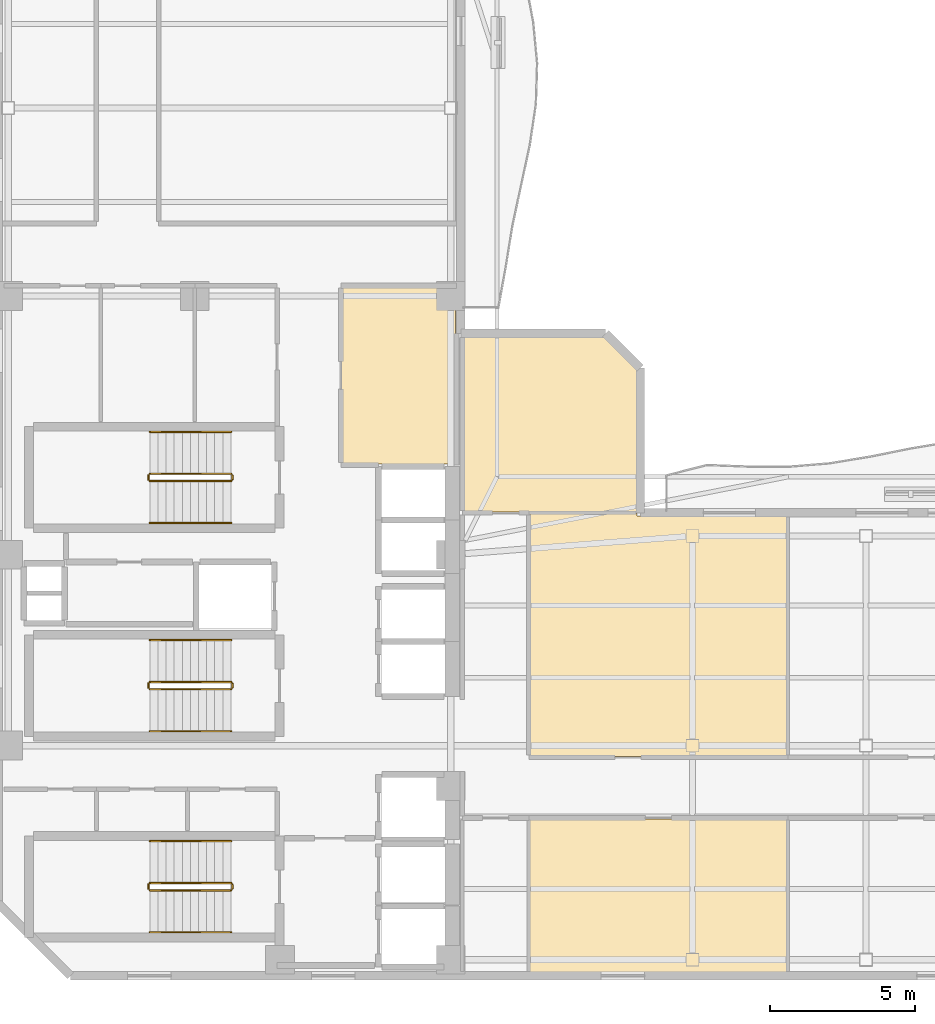
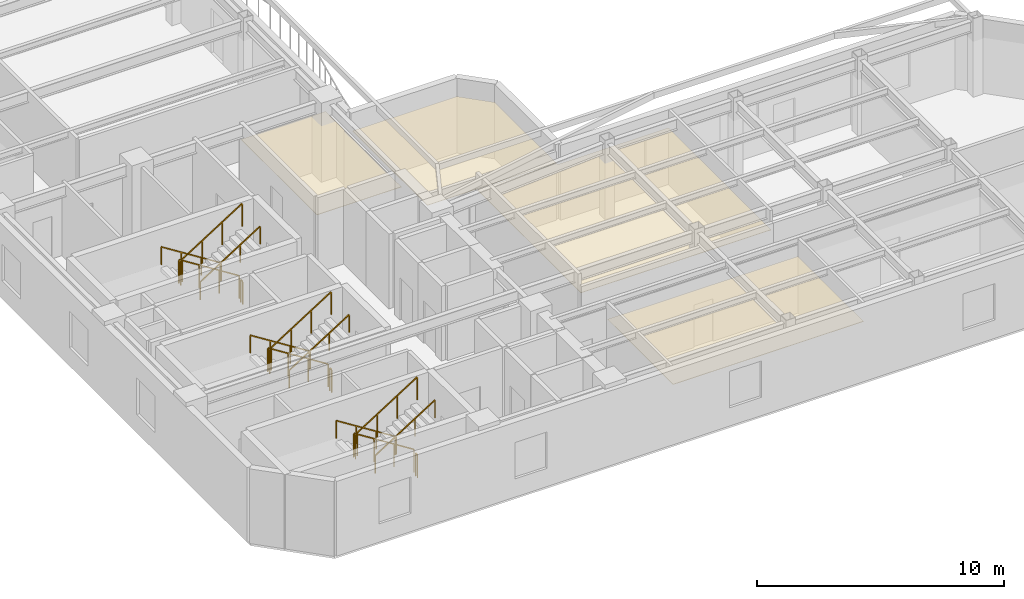
# One storey, part 6 of 8: 18 railings, 4 coverings.
"""IFC4 building model written with IfcOpenShell, lengths in metres."""

import ifcopenshell
import ifcopenshell.guid

model = None  # the IFC model being written
_history = None  # IfcOwnerHistory: only IFC2X3 demands one
_inside = {}  # id of a spatial element -> (the spatial element, [elements in it])
_under = {}  # id of a project, library or spatial element -> (it, [spatial elements below it])
_declared = {}  # id of a project -> (the project, [libraries it declares])
_typed = {}  # id of a type object -> (the type object, [elements of that type])
_made_of = {}  # id of a material, layer set ... -> (it, [elements and type objects made of it])


def new_model(schema):
    """Start an empty IFC model of exactly this schema.

    Asked for "IFC4X3", IfcOpenShell would pick the latest addendum, in which some entities
    have other attributes; the version numbers below select the first issue.
    IFC2X3 requires an IfcOwnerHistory on every rooted entity: one is made here for all.
    """
    global model, _history
    if schema == "IFC4X3":
        model = ifcopenshell.file(schema_version=(4, 3, 0, 0))
    else:
        model = ifcopenshell.file(schema=schema)
    _inside.clear()
    _under.clear()
    _declared.clear()
    _typed.clear()
    _made_of.clear()
    _history = None
    if model.schema == "IFC2X3":
        org = make("IfcOrganization", Name="unknown")
        user = make(
            "IfcPersonAndOrganization",
            ThePerson=make("IfcPerson", FamilyName="unknown"),
            TheOrganization=org,
        )
        app = make(
            "IfcApplication",
            ApplicationDeveloper=org,
            Version="unknown",
            ApplicationFullName="unknown",
            ApplicationIdentifier="unknown",
        )
        _history = make(
            "IfcOwnerHistory",
            OwningUser=user,
            OwningApplication=app,
            ChangeAction="ADDED",
            CreationDate=0,
        )
    return model


def make(cls, **values):
    """One entity of the class cls with the attributes given. An attribute that is None is left unset."""
    return model.create_entity(
        cls, **{name: value for name, value in values.items() if value is not None}
    )


def rooted(cls, **values):
    """An entity with a GlobalId (a new one), such as an element, a storey or a relation."""
    return make(cls, GlobalId=ifcopenshell.guid.new(), OwnerHistory=_history, **values)


def si_unit(unit_type, name, prefix=None):
    """IfcSIUnit, for example si_unit("LENGTHUNIT", "METRE", prefix="MILLI")."""
    return make("IfcSIUnit", UnitType=unit_type, Prefix=prefix, Name=name)


def assignment(units):
    """IfcUnitAssignment: the units of a project."""
    return None if units is None else make("IfcUnitAssignment", Units=units)


def point(xyz):
    """IfcCartesianPoint."""
    return None if xyz is None else make("IfcCartesianPoint", Coordinates=xyz)


def direction(xyz):
    """IfcDirection."""
    return None if xyz is None else make("IfcDirection", DirectionRatios=xyz)


def frame(location, z_axis=None, x_axis=None):
    """IfcAxis2Placement3D, a coordinate frame: its origin and axes. An axis left out is left unset."""
    return make(
        "IfcAxis2Placement3D",
        Location=point(location),
        Axis=direction(z_axis),
        RefDirection=direction(x_axis),
    )


def frame_2d(location, x_axis=None):
    """IfcAxis2Placement2D, a coordinate frame in the plane: its origin and x axis."""
    return make(
        "IfcAxis2Placement2D", Location=point(location), RefDirection=direction(x_axis)
    )


def origin():
    """The frame at (0, 0, 0) with its axes left unset."""
    return frame((0.0, 0.0, 0.0))


def origin_2d():
    """The frame at (0, 0) in the plane with its x axis left unset."""
    return frame_2d((0.0, 0.0))


def place(relative_to, where):
    """IfcLocalPlacement: puts the frame where relative to a parent placement (None: the world)."""
    return make(
        "IfcLocalPlacement", PlacementRelTo=relative_to, RelativePlacement=where
    )


def context(
    kind, dimensions, precision=None, world=None, true_north=None, identifier=None
):
    """IfcGeometricRepresentationContext, for example the 3D "Model" context."""
    return make(
        "IfcGeometricRepresentationContext",
        ContextIdentifier=identifier,
        ContextType=kind,
        CoordinateSpaceDimension=dimensions,
        Precision=precision,
        WorldCoordinateSystem=world,
        TrueNorth=true_north,
    )


def subcontext(parent, identifier, kind, view, scale=None):
    """IfcGeometricRepresentationSubContext, for example "Body" below "Model"."""
    return make(
        "IfcGeometricRepresentationSubContext",
        ContextIdentifier=identifier,
        ContextType=kind,
        ParentContext=parent,
        TargetScale=scale,
        TargetView=view,
    )


def project(units=None, contexts=None):
    """IfcProject with its units and contexts."""
    return rooted(
        "IfcProject",
        Name="project",
        RepresentationContexts=contexts,
        UnitsInContext=assignment(units),
    )


def spatial(cls, under=None, at=None, **own):
    """A site, building, storey or space (cls), placed at a placement, below another one or the project."""
    s = rooted(cls, ObjectPlacement=at, **own)
    if under is not None:
        _under.setdefault(under.id(), (under, []))[1].append(s)
    return s


def polyline(points):
    """IfcPolyline through the points."""
    return make("IfcPolyline", Points=[point(p) for p in points])


def profile(cls, at=None, kind="AREA", **sizes):
    """A parametric profile (cls). Its sizes go by their IFC names, for example OverallWidth=200.0."""
    return make(cls, ProfileType=kind, Position=at, **sizes)


def rectangle(**sizes):
    """IfcRectangleProfileDef."""
    return profile("IfcRectangleProfileDef", **sizes)


def outline(outer, holes=None, kind="AREA"):
    """IfcArbitraryClosedProfileDef: a profile drawn as a closed curve; with holes, ...WithVoids."""
    if holes is None:
        return make("IfcArbitraryClosedProfileDef", ProfileType=kind, OuterCurve=outer)
    return make(
        "IfcArbitraryProfileDefWithVoids",
        ProfileType=kind,
        OuterCurve=outer,
        InnerCurves=holes,
    )


def extrude(swept, where, along, depth):
    """IfcExtrudedAreaSolid: the profile swept, set in the frame where, extruded along a direction by depth."""
    return make(
        "IfcExtrudedAreaSolid",
        SweptArea=swept,
        Position=where,
        ExtrudedDirection=direction(along),
        Depth=depth,
    )


def shape(context_of_items, identifier, shape_type, items):
    """IfcShapeRepresentation: the items that make up one representation, for example the "Body"."""
    return make(
        "IfcShapeRepresentation",
        ContextOfItems=context_of_items,
        RepresentationIdentifier=identifier,
        RepresentationType=shape_type,
        Items=items,
    )


def material(Name=None, Category=None):
    """IfcMaterial."""
    return make("IfcMaterial", Name=Name, Category=Category)


def layer(
    of_material, thickness, ventilated=None, Name=None, Category=None, Priority=None
):
    """IfcMaterialLayer: one layer of a wall or slab, of a material (None: an air gap)."""
    return make(
        "IfcMaterialLayer",
        Material=of_material,
        LayerThickness=thickness,
        IsVentilated=ventilated,
        Name=Name,
        Category=Category,
        Priority=Priority,
    )


def layer_set(layers, Name=None):
    """IfcMaterialLayerSet."""
    return make("IfcMaterialLayerSet", MaterialLayers=layers, LayerSetName=Name)


def made_of(thing, what):
    """Note that an element or type object is made of a material, layer set ...; save() writes the relation."""
    if what is not None:
        _made_of.setdefault(what.id(), (what, []))[1].append(thing)
    return thing


def type_object(cls, material=None, **own):
    """A type object (cls), such as IfcWallType, which elements share."""
    return made_of(rooted(cls, **own), material)


def element(
    cls,
    number,
    at=None,
    inside=None,
    cuts=None,
    type_object=None,
    material=None,
    context=None,
    identifier="Body",
    shape_type=None,
    held_by="IfcProductDefinitionShape",
    body=None,
    shapes=None,
    **own,
):
    """One element of the class cls, such as IfcWall. Its Tag is "e" and its number.

    at: its placement. inside: the storey or other place that contains it. cuts: it is an
    opening in that element (IfcRelVoidsElement). A single representation is given by context,
    identifier, shape_type and body (its items); several are given by shapes. held_by: the class
    of the entity that holds the representations. save() writes the other relations.
    """
    e = rooted(cls, Tag="e%d" % number, ObjectPlacement=at, **own)
    if body is not None:
        shapes = [shape(context, identifier, shape_type, body)]
    if shapes is not None:
        e.Representation = make(held_by, Representations=shapes)
    if inside is not None:
        _inside.setdefault(inside.id(), (inside, []))[1].append(e)
    if cuts is not None:
        rooted(
            "IfcRelVoidsElement", RelatingBuildingElement=cuts, RelatedOpeningElement=e
        )
    if type_object is not None:
        _typed.setdefault(type_object.id(), (type_object, []))[1].append(e)
    return made_of(e, material)


def aggregate(whole, parts):
    """IfcRelAggregates: a whole, such as a stair, and the parts it consists of."""
    return rooted("IfcRelAggregates", RelatingObject=whole, RelatedObjects=parts)


def save(model, path):
    """Write the relations noted so far, then the file.

    IfcRelAggregates (storeys below a building ...), IfcRelContainedInSpatialStructure (elements
    in a storey), IfcRelDefinesByType, IfcRelAssociatesMaterial and IfcRelDeclares: one each for
    every whole, place, type object, material and project.
    """
    for whole, parts in _under.values():
        aggregate(whole, parts)
    for where, things in _inside.values():
        rooted(
            "IfcRelContainedInSpatialStructure",
            RelatedElements=things,
            RelatingStructure=where,
        )
    for kind, things in _typed.values():
        rooted("IfcRelDefinesByType", RelatedObjects=things, RelatingType=kind)
    for what, things in _made_of.values():
        rooted("IfcRelAssociatesMaterial", RelatedObjects=things, RelatingMaterial=what)
    for by, libraries in _declared.values():
        rooted("IfcRelDeclares", RelatingContext=by, RelatedDefinitions=libraries)
    model.write(path)


model = new_model("IFC4")

# Units and contexts
model_context = context("Model", 3, precision=1e-05, world=origin(), true_north=direction((0.0, 1.0)))
body_context = subcontext(model_context, "Body", "Model", "MODEL_VIEW")
ifc_project = project(units=[si_unit("LENGTHUNIT", "METRE"), si_unit("AREAUNIT", "SQUARE_METRE"), si_unit("VOLUMEUNIT", "CUBIC_METRE"), si_unit("PLANEANGLEUNIT", "RADIAN"), si_unit("MASSUNIT", "GRAM", prefix="KILO")], contexts=[model_context])

# Site, building, storey
site_placement = place(None, origin())
site = spatial("IfcSite", under=ifc_project, at=site_placement, CompositionType="ELEMENT")
building_placement = place(site_placement, origin())
building = spatial("IfcBuilding", under=site, at=building_placement, Name="Mawjaban Terraces University", CompositionType="ELEMENT")
storey_placement = place(building_placement, frame((0.0, 0.0, 218.699951171875)))
storey = spatial("IfcBuildingStorey", under=building, at=storey_placement, Name="L53", CompositionType="ELEMENT", Elevation=218.699951171875)

# Coverings
ifc_material_1 = material(Name="Acoustic mineral fibre ceiling tile", Category="masonry")
ifc_layer = layer(ifc_material_1, 0.02001953125)
ifc_layer_set = layer_set([ifc_layer], Name="Acoustic mineral fibre ceiling tile")
covering_type = type_object("IfcCoveringType", Name="AcousticMineralCeiling_20", PredefinedType="CEILING", material=ifc_layer_set)
covering_1_placement = place(storey_placement, frame((0.0, 0.0, 2.75)))
element("IfcCovering", 1, at=covering_1_placement, inside=storey, type_object=covering_type, Name="L53 Graduate Research Collaboration Studio Acoustic Ceiling", PredefinedType="CEILING", context=body_context, shape_type="SweptSolid", body=[
    extrude(outline(polyline([(37.820068359375, 17.679931640625), (37.820068359375, 23.820068359375), (33.8798828125, 23.820068359375), (33.8798828125, 17.679931640625), (37.820068359375, 17.679931640625)])), origin(), (0.0, 0.0, 1.0), 0.02001953125),
])
covering_2_placement = place(storey_placement, frame((0.0, 0.0, 2.75)))
element("IfcCovering", 2, at=covering_2_placement, inside=storey, type_object=covering_type, Name="L53 Graduate Study Lounge 2 Acoustic Ceiling", PredefinedType="CEILING", context=body_context, shape_type="SweptSolid", body=[
    extrude(outline(polyline([(40.3798828125, 0.114990234375), (49.26611328125, 0.114990234375), (49.26611328125, 5.419921875), (40.3798828125, 5.419921875), (40.3798828125, 0.114990234375)])), origin(), (0.0, 0.0, 1.0), 0.02001953125),
])
covering_3_placement = place(storey_placement, frame((0.0, 0.0, 2.75)))
element("IfcCovering", 3, at=covering_3_placement, inside=storey, type_object=covering_type, Name="L53 Collaborative Study Room 3 Acoustic Ceiling", PredefinedType="CEILING", context=body_context, shape_type="SweptSolid", body=[
    extrude(outline(polyline([(49.26611328125, 15.885009765625), (44.0849609375, 15.885009765625), (44.0849609375, 15.969970703125), (40.3798828125, 15.969970703125), (40.3798828125, 7.580078125), (49.26611328125, 7.580078125), (49.26611328125, 15.885009765625)])), origin(), (0.0, 0.0, 1.0), 0.02001953125),
])
covering_4_placement = place(storey_placement, frame((0.0, 0.0, 2.75)))
element("IfcCovering", 4, at=covering_4_placement, inside=storey, type_object=covering_type, Name="L53 Terrace Collaborative Study Room Acoustic Ceiling", PredefinedType="CEILING", context=body_context, shape_type="SweptSolid", body=[
    extrude(outline(polyline([(44.0849609375, 16.030029296875), (44.0849609375, 20.952880859375), (42.952880859375, 22.0849609375), (38.080078125, 22.0849609375), (38.080078125, 16.030029296875), (44.0849609375, 16.030029296875)])), origin(), (0.0, 0.0, 1.0), 0.02001953125),
])

# Railings
ifc_material_2 = material(Name="Brushed stainless steel 316", Category="steel")
railing_type_1 = type_object("IfcRailingType", Name="StairWallHandrail_900", PredefinedType="HANDRAIL", material=ifc_material_2)
railing_1_placement = place(storey_placement, frame((30.050048828125, 4.64990234375, 0.17724609375)))
element("IfcRailing", 5, at=railing_1_placement, inside=storey, type_object=railing_type_1, Name="L53 ST-1 stair handrail 1", PredefinedType="HANDRAIL", context=body_context, shape_type="SweptSolid", body=[
    extrude(rectangle(XDim=0.048095703125, YDim=0.048095703125, at=origin_2d()), frame((0.0, 0.0, 0.8759765625), z_axis=(-0.844908973607, 0.0, 0.534910110503), x_axis=(0.0, -1.0, 0.0)), (0.0, 0.0, 1.0), 3.31396484375),
    extrude(rectangle(XDim=0.0419921875, YDim=0.0419921875, at=origin_2d()), origin(), (0.0, 0.0, 1.0), 0.851806640625),
    extrude(rectangle(XDim=0.0419921875, YDim=0.0419921875, at=origin_2d()), frame((-0.933349609375, 0.0, 0.5908203125)), (0.0, 0.0, 1.0), 0.851806640625),
    extrude(rectangle(XDim=0.0419921875, YDim=0.0419921875, at=origin_2d()), frame((-1.86669921875, 0.0, 1.181884765625)), (0.0, 0.0, 1.0), 0.851806640625),
    extrude(rectangle(XDim=0.0419921875, YDim=0.0419921875, at=origin_2d()), frame((-2.800048828125, 0.0, 1.772705078125)), (0.0, 0.0, 1.0), 0.851806640625),
])
railing_2_placement = place(storey_placement, frame((27.25, 1.5, 2.12744140625)))
element("IfcRailing", 6, at=railing_2_placement, inside=storey, type_object=railing_type_1, Name="L53 ST-1 stair handrail 2", PredefinedType="HANDRAIL", context=body_context, shape_type="SweptSolid", body=[
    extrude(rectangle(XDim=0.048095703125, YDim=0.048095703125, at=origin_2d()), frame((0.0, 0.0, 0.8759765625), z_axis=(0.844908973607, 0.0, 0.534910110503), x_axis=(0.0, 1.0, 0.0)), (0.0, 0.0, 1.0), 3.31396484375),
    extrude(rectangle(XDim=0.0419921875, YDim=0.0419921875, at=origin_2d()), origin(), (0.0, 0.0, 1.0), 0.851806640625),
    extrude(rectangle(XDim=0.0419921875, YDim=0.0419921875, at=origin_2d()), frame((0.933349609375, 0.0, 0.5908203125)), (0.0, 0.0, 1.0), 0.851806640625),
    extrude(rectangle(XDim=0.0419921875, YDim=0.0419921875, at=origin_2d()), frame((1.86669921875, 0.0, 1.181884765625)), (0.0, 0.0, 1.0), 0.851806640625),
    extrude(rectangle(XDim=0.0419921875, YDim=0.0419921875, at=origin_2d()), frame((2.800048828125, 0.0, 1.772705078125)), (0.0, 0.0, 1.0), 0.851806640625),
])
railing_3_placement = place(storey_placement, frame((30.050048828125, 18.800048828125, 0.17724609375)))
element("IfcRailing", 7, at=railing_3_placement, inside=storey, type_object=railing_type_1, Name="L53 ST-2 stair handrail 1", PredefinedType="HANDRAIL", context=body_context, shape_type="SweptSolid", body=[
    extrude(rectangle(XDim=0.048095703125, YDim=0.048095703125, at=origin_2d()), frame((0.0, 0.0, 0.8759765625), z_axis=(-0.844908973607, 0.0, 0.534910110503), x_axis=(0.0, -1.0, 0.0)), (0.0, 0.0, 1.0), 3.31396484375),
    extrude(rectangle(XDim=0.0419921875, YDim=0.0419921875, at=origin_2d()), origin(), (0.0, 0.0, 1.0), 0.851806640625),
    extrude(rectangle(XDim=0.0419921875, YDim=0.0419921875, at=origin_2d()), frame((-0.933349609375, 0.0, 0.5908203125)), (0.0, 0.0, 1.0), 0.851806640625),
    extrude(rectangle(XDim=0.0419921875, YDim=0.0419921875, at=origin_2d()), frame((-1.86669921875, 0.0, 1.181884765625)), (0.0, 0.0, 1.0), 0.851806640625),
    extrude(rectangle(XDim=0.0419921875, YDim=0.0419921875, at=origin_2d()), frame((-2.800048828125, 0.0, 1.772705078125)), (0.0, 0.0, 1.0), 0.851806640625),
])
railing_4_placement = place(storey_placement, frame((27.25, 15.64990234375, 2.12744140625)))
element("IfcRailing", 8, at=railing_4_placement, inside=storey, type_object=railing_type_1, Name="L53 ST-2 stair handrail 2", PredefinedType="HANDRAIL", context=body_context, shape_type="SweptSolid", body=[
    extrude(rectangle(XDim=0.048095703125, YDim=0.048095703125, at=origin_2d()), frame((0.0, 0.0, 0.8759765625), z_axis=(0.844908973607, 0.0, 0.534910110503), x_axis=(0.0, 1.0, 0.0)), (0.0, 0.0, 1.0), 3.31396484375),
    extrude(rectangle(XDim=0.0419921875, YDim=0.0419921875, at=origin_2d()), origin(), (0.0, 0.0, 1.0), 0.851806640625),
    extrude(rectangle(XDim=0.0419921875, YDim=0.0419921875, at=origin_2d()), frame((0.933349609375, 0.0, 0.5908203125)), (0.0, 0.0, 1.0), 0.851806640625),
    extrude(rectangle(XDim=0.0419921875, YDim=0.0419921875, at=origin_2d()), frame((1.86669921875, 0.0, 1.181884765625)), (0.0, 0.0, 1.0), 0.851806640625),
    extrude(rectangle(XDim=0.0419921875, YDim=0.0419921875, at=origin_2d()), frame((2.800048828125, 0.0, 1.772705078125)), (0.0, 0.0, 1.0), 0.851806640625),
])
railing_5_placement = place(storey_placement, frame((30.050048828125, 11.60009765625, 0.17724609375)))
element("IfcRailing", 9, at=railing_5_placement, inside=storey, type_object=railing_type_1, Name="L53 ST-3 stair handrail 1", PredefinedType="HANDRAIL", context=body_context, shape_type="SweptSolid", body=[
    extrude(rectangle(XDim=0.048095703125, YDim=0.048095703125, at=origin_2d()), frame((0.0, 0.0, 0.8759765625), z_axis=(-0.844908973607, 0.0, 0.534910110503), x_axis=(0.0, -1.0, 0.0)), (0.0, 0.0, 1.0), 3.31396484375),
    extrude(rectangle(XDim=0.0419921875, YDim=0.0419921875, at=origin_2d()), origin(), (0.0, 0.0, 1.0), 0.851806640625),
    extrude(rectangle(XDim=0.0419921875, YDim=0.0419921875, at=origin_2d()), frame((-0.933349609375, 0.0, 0.5908203125)), (0.0, 0.0, 1.0), 0.851806640625),
    extrude(rectangle(XDim=0.0419921875, YDim=0.0419921875, at=origin_2d()), frame((-1.86669921875, 0.0, 1.181884765625)), (0.0, 0.0, 1.0), 0.851806640625),
    extrude(rectangle(XDim=0.0419921875, YDim=0.0419921875, at=origin_2d()), frame((-2.800048828125, 0.0, 1.772705078125)), (0.0, 0.0, 1.0), 0.851806640625),
])
railing_6_placement = place(storey_placement, frame((27.25, 8.449951171875, 2.12744140625)))
element("IfcRailing", 10, at=railing_6_placement, inside=storey, type_object=railing_type_1, Name="L53 ST-3 stair handrail 2", PredefinedType="HANDRAIL", context=body_context, shape_type="SweptSolid", body=[
    extrude(rectangle(XDim=0.048095703125, YDim=0.048095703125, at=origin_2d()), frame((0.0, 0.0, 0.8759765625), z_axis=(0.844908973607, 0.0, 0.534910110503), x_axis=(0.0, 1.0, 0.0)), (0.0, 0.0, 1.0), 3.31396484375),
    extrude(rectangle(XDim=0.0419921875, YDim=0.0419921875, at=origin_2d()), origin(), (0.0, 0.0, 1.0), 0.851806640625),
    extrude(rectangle(XDim=0.0419921875, YDim=0.0419921875, at=origin_2d()), frame((0.933349609375, 0.0, 0.5908203125)), (0.0, 0.0, 1.0), 0.851806640625),
    extrude(rectangle(XDim=0.0419921875, YDim=0.0419921875, at=origin_2d()), frame((1.86669921875, 0.0, 1.181884765625)), (0.0, 0.0, 1.0), 0.851806640625),
    extrude(rectangle(XDim=0.0419921875, YDim=0.0419921875, at=origin_2d()), frame((2.800048828125, 0.0, 1.772705078125)), (0.0, 0.0, 1.0), 0.851806640625),
])
ifc_material_3 = material(Name="Galvanised painted steel S355", Category="steel")
railing_type_2 = type_object("IfcRailingType", Name="StairWellGuard_1150", PredefinedType="BALUSTRADE", material=ifc_material_3)
railing_7_placement = place(storey_placement, frame((30.050048828125, 3.199951171875, 0.17724609375)))
element("IfcRailing", 11, at=railing_7_placement, inside=storey, type_object=railing_type_2, Name="L53 ST-1 stair guard 1", PredefinedType="BALUSTRADE", context=body_context, shape_type="SweptSolid", body=[
    extrude(rectangle(XDim=0.048095703125, YDim=0.048095703125, at=origin_2d()), frame((0.0, 0.0, 1.1259765625), z_axis=(-0.844908973607, 0.0, 0.534910110503), x_axis=(0.0, -1.0, 0.0)), (0.0, 0.0, 1.0), 3.31396484375),
    extrude(rectangle(XDim=0.0419921875, YDim=0.0419921875, at=origin_2d()), origin(), (0.0, 0.0, 1.0), 1.101806640625),
    extrude(rectangle(XDim=0.0419921875, YDim=0.0419921875, at=origin_2d()), frame((-0.933349609375, 0.0, 0.5908203125)), (0.0, 0.0, 1.0), 1.101806640625),
    extrude(rectangle(XDim=0.0419921875, YDim=0.0419921875, at=origin_2d()), frame((-1.86669921875, 0.0, 1.181884765625)), (0.0, 0.0, 1.0), 1.101806640625),
    extrude(rectangle(XDim=0.0419921875, YDim=0.0419921875, at=origin_2d()), frame((-2.800048828125, 0.0, 1.772705078125)), (0.0, 0.0, 1.0), 1.101806640625),
])
railing_8_placement = place(storey_placement, frame((27.199951171875, 3.14990234375, 1.949951171875)))
element("IfcRailing", 12, at=railing_8_placement, inside=storey, type_object=railing_type_2, Name="L53 ST-1 stair guard 2", PredefinedType="BALUSTRADE", context=body_context, shape_type="SweptSolid", body=[
    extrude(rectangle(XDim=0.048095703125, YDim=0.048095703125, at=origin_2d()), frame((0.0, 0.0, 1.1259765625), z_axis=(0.0, -1.0, 0.0), x_axis=(1.0, 0.0, 0.0)), (0.0, 0.0, 1.0), 0.14990234375),
    extrude(rectangle(XDim=0.0419921875, YDim=0.0419921875, at=origin_2d()), origin(), (0.0, 0.0, 1.0), 1.101806640625),
    extrude(rectangle(XDim=0.0419921875, YDim=0.0419921875, at=origin_2d()), frame((0.0, -0.14990234375, 0.0)), (0.0, 0.0, 1.0), 1.101806640625),
])
railing_9_placement = place(storey_placement, frame((27.25, 2.949951171875, 2.12744140625)))
element("IfcRailing", 13, at=railing_9_placement, inside=storey, type_object=railing_type_2, Name="L53 ST-1 stair guard 3", PredefinedType="BALUSTRADE", context=body_context, shape_type="SweptSolid", body=[
    extrude(rectangle(XDim=0.048095703125, YDim=0.048095703125, at=origin_2d()), frame((0.0, 0.0, 1.1259765625), z_axis=(0.844908973607, 0.0, 0.534910110503), x_axis=(0.0, 1.0, 0.0)), (0.0, 0.0, 1.0), 3.31396484375),
    extrude(rectangle(XDim=0.0419921875, YDim=0.0419921875, at=origin_2d()), origin(), (0.0, 0.0, 1.0), 1.101806640625),
    extrude(rectangle(XDim=0.0419921875, YDim=0.0419921875, at=origin_2d()), frame((0.933349609375, 0.0, 0.5908203125)), (0.0, 0.0, 1.0), 1.101806640625),
    extrude(rectangle(XDim=0.0419921875, YDim=0.0419921875, at=origin_2d()), frame((1.86669921875, 0.0, 1.181884765625)), (0.0, 0.0, 1.0), 1.101806640625),
    extrude(rectangle(XDim=0.0419921875, YDim=0.0419921875, at=origin_2d()), frame((2.800048828125, 0.0, 1.772705078125)), (0.0, 0.0, 1.0), 1.101806640625),
])
railing_10_placement = place(storey_placement, frame((30.10009765625, 3.14990234375, 0.0)))
element("IfcRailing", 14, at=railing_10_placement, inside=storey, type_object=railing_type_2, Name="L53 ST-1 stair guard 4", PredefinedType="BALUSTRADE", context=body_context, shape_type="SweptSolid", body=[
    extrude(rectangle(XDim=0.048095703125, YDim=0.048095703125, at=origin_2d()), frame((0.0, 0.0, 1.1259765625), z_axis=(0.0, -1.0, 0.0), x_axis=(1.0, 0.0, 0.0)), (0.0, 0.0, 1.0), 0.14990234375),
    extrude(rectangle(XDim=0.0419921875, YDim=0.0419921875, at=origin_2d()), origin(), (0.0, 0.0, 1.0), 1.101806640625),
    extrude(rectangle(XDim=0.0419921875, YDim=0.0419921875, at=origin_2d()), frame((0.0, -0.14990234375, 0.0)), (0.0, 0.0, 1.0), 1.101806640625),
])
railing_11_placement = place(storey_placement, frame((30.050048828125, 17.35009765625, 0.17724609375)))
element("IfcRailing", 15, at=railing_11_placement, inside=storey, type_object=railing_type_2, Name="L53 ST-2 stair guard 1", PredefinedType="BALUSTRADE", context=body_context, shape_type="SweptSolid", body=[
    extrude(rectangle(XDim=0.048095703125, YDim=0.048095703125, at=origin_2d()), frame((0.0, 0.0, 1.1259765625), z_axis=(-0.844908973607, 0.0, 0.534910110503), x_axis=(0.0, -1.0, 0.0)), (0.0, 0.0, 1.0), 3.31396484375),
    extrude(rectangle(XDim=0.0419921875, YDim=0.0419921875, at=origin_2d()), origin(), (0.0, 0.0, 1.0), 1.101806640625),
    extrude(rectangle(XDim=0.0419921875, YDim=0.0419921875, at=origin_2d()), frame((-0.933349609375, 0.0, 0.5908203125)), (0.0, 0.0, 1.0), 1.101806640625),
    extrude(rectangle(XDim=0.0419921875, YDim=0.0419921875, at=origin_2d()), frame((-1.86669921875, 0.0, 1.181884765625)), (0.0, 0.0, 1.0), 1.101806640625),
    extrude(rectangle(XDim=0.0419921875, YDim=0.0419921875, at=origin_2d()), frame((-2.800048828125, 0.0, 1.772705078125)), (0.0, 0.0, 1.0), 1.101806640625),
])
railing_12_placement = place(storey_placement, frame((27.199951171875, 17.300048828125, 1.949951171875)))
element("IfcRailing", 16, at=railing_12_placement, inside=storey, type_object=railing_type_2, Name="L53 ST-2 stair guard 2", PredefinedType="BALUSTRADE", context=body_context, shape_type="SweptSolid", body=[
    extrude(rectangle(XDim=0.048095703125, YDim=0.048095703125, at=origin_2d()), frame((0.0, 0.0, 1.1259765625), z_axis=(0.0, -1.0, 0.0), x_axis=(1.0, 0.0, 0.0)), (0.0, 0.0, 1.0), 0.150146484375),
    extrude(rectangle(XDim=0.0419921875, YDim=0.0419921875, at=origin_2d()), origin(), (0.0, 0.0, 1.0), 1.101806640625),
    extrude(rectangle(XDim=0.0419921875, YDim=0.0419921875, at=origin_2d()), frame((0.0, -0.150146484375, 0.0)), (0.0, 0.0, 1.0), 1.101806640625),
])
railing_13_placement = place(storey_placement, frame((27.25, 17.10009765625, 2.12744140625)))
element("IfcRailing", 17, at=railing_13_placement, inside=storey, type_object=railing_type_2, Name="L53 ST-2 stair guard 3", PredefinedType="BALUSTRADE", context=body_context, shape_type="SweptSolid", body=[
    extrude(rectangle(XDim=0.048095703125, YDim=0.048095703125, at=origin_2d()), frame((0.0, 0.0, 1.1259765625), z_axis=(0.844908973607, 0.0, 0.534910110503), x_axis=(0.0, 1.0, 0.0)), (0.0, 0.0, 1.0), 3.31396484375),
    extrude(rectangle(XDim=0.0419921875, YDim=0.0419921875, at=origin_2d()), origin(), (0.0, 0.0, 1.0), 1.101806640625),
    extrude(rectangle(XDim=0.0419921875, YDim=0.0419921875, at=origin_2d()), frame((0.933349609375, 0.0, 0.5908203125)), (0.0, 0.0, 1.0), 1.101806640625),
    extrude(rectangle(XDim=0.0419921875, YDim=0.0419921875, at=origin_2d()), frame((1.86669921875, 0.0, 1.181884765625)), (0.0, 0.0, 1.0), 1.101806640625),
    extrude(rectangle(XDim=0.0419921875, YDim=0.0419921875, at=origin_2d()), frame((2.800048828125, 0.0, 1.772705078125)), (0.0, 0.0, 1.0), 1.101806640625),
])
railing_14_placement = place(storey_placement, frame((30.10009765625, 17.300048828125, 0.0)))
element("IfcRailing", 18, at=railing_14_placement, inside=storey, type_object=railing_type_2, Name="L53 ST-2 stair guard 4", PredefinedType="BALUSTRADE", context=body_context, shape_type="SweptSolid", body=[
    extrude(rectangle(XDim=0.048095703125, YDim=0.048095703125, at=origin_2d()), frame((0.0, 0.0, 1.1259765625), z_axis=(0.0, -1.0, 0.0), x_axis=(1.0, 0.0, 0.0)), (0.0, 0.0, 1.0), 0.150146484375),
    extrude(rectangle(XDim=0.0419921875, YDim=0.0419921875, at=origin_2d()), origin(), (0.0, 0.0, 1.0), 1.101806640625),
    extrude(rectangle(XDim=0.0419921875, YDim=0.0419921875, at=origin_2d()), frame((0.0, -0.150146484375, 0.0)), (0.0, 0.0, 1.0), 1.101806640625),
])
railing_15_placement = place(storey_placement, frame((30.050048828125, 10.14990234375, 0.17724609375)))
element("IfcRailing", 19, at=railing_15_placement, inside=storey, type_object=railing_type_2, Name="L53 ST-3 stair guard 1", PredefinedType="BALUSTRADE", context=body_context, shape_type="SweptSolid", body=[
    extrude(rectangle(XDim=0.048095703125, YDim=0.048095703125, at=origin_2d()), frame((0.0, 0.0, 1.1259765625), z_axis=(-0.844908973607, 0.0, 0.534910110503), x_axis=(0.0, -1.0, 0.0)), (0.0, 0.0, 1.0), 3.31396484375),
    extrude(rectangle(XDim=0.0419921875, YDim=0.0419921875, at=origin_2d()), origin(), (0.0, 0.0, 1.0), 1.101806640625),
    extrude(rectangle(XDim=0.0419921875, YDim=0.0419921875, at=origin_2d()), frame((-0.933349609375, 0.0, 0.5908203125)), (0.0, 0.0, 1.0), 1.101806640625),
    extrude(rectangle(XDim=0.0419921875, YDim=0.0419921875, at=origin_2d()), frame((-1.86669921875, 0.0, 1.181884765625)), (0.0, 0.0, 1.0), 1.101806640625),
    extrude(rectangle(XDim=0.0419921875, YDim=0.0419921875, at=origin_2d()), frame((-2.800048828125, 0.0, 1.772705078125)), (0.0, 0.0, 1.0), 1.101806640625),
])
railing_16_placement = place(storey_placement, frame((27.199951171875, 10.10009765625, 1.949951171875)))
element("IfcRailing", 20, at=railing_16_placement, inside=storey, type_object=railing_type_2, Name="L53 ST-3 stair guard 2", PredefinedType="BALUSTRADE", context=body_context, shape_type="SweptSolid", body=[
    extrude(rectangle(XDim=0.048095703125, YDim=0.048095703125, at=origin_2d()), frame((0.0, 0.0, 1.1259765625), z_axis=(0.0, -1.0, 0.0), x_axis=(1.0, 0.0, 0.0)), (0.0, 0.0, 1.0), 0.150146484375),
    extrude(rectangle(XDim=0.0419921875, YDim=0.0419921875, at=origin_2d()), origin(), (0.0, 0.0, 1.0), 1.101806640625),
    extrude(rectangle(XDim=0.0419921875, YDim=0.0419921875, at=origin_2d()), frame((0.0, -0.150146484375, 0.0)), (0.0, 0.0, 1.0), 1.101806640625),
])
railing_17_placement = place(storey_placement, frame((27.25, 9.89990234375, 2.12744140625)))
element("IfcRailing", 21, at=railing_17_placement, inside=storey, type_object=railing_type_2, Name="L53 ST-3 stair guard 3", PredefinedType="BALUSTRADE", context=body_context, shape_type="SweptSolid", body=[
    extrude(rectangle(XDim=0.048095703125, YDim=0.048095703125, at=origin_2d()), frame((0.0, 0.0, 1.1259765625), z_axis=(0.844908973607, 0.0, 0.534910110503), x_axis=(0.0, 1.0, 0.0)), (0.0, 0.0, 1.0), 3.31396484375),
    extrude(rectangle(XDim=0.0419921875, YDim=0.0419921875, at=origin_2d()), origin(), (0.0, 0.0, 1.0), 1.101806640625),
    extrude(rectangle(XDim=0.0419921875, YDim=0.0419921875, at=origin_2d()), frame((0.933349609375, 0.0, 0.5908203125)), (0.0, 0.0, 1.0), 1.101806640625),
    extrude(rectangle(XDim=0.0419921875, YDim=0.0419921875, at=origin_2d()), frame((1.86669921875, 0.0, 1.181884765625)), (0.0, 0.0, 1.0), 1.101806640625),
    extrude(rectangle(XDim=0.0419921875, YDim=0.0419921875, at=origin_2d()), frame((2.800048828125, 0.0, 1.772705078125)), (0.0, 0.0, 1.0), 1.101806640625),
])
railing_18_placement = place(storey_placement, frame((30.10009765625, 10.10009765625, 0.0)))
element("IfcRailing", 22, at=railing_18_placement, inside=storey, type_object=railing_type_2, Name="L53 ST-3 stair guard 4", PredefinedType="BALUSTRADE", context=body_context, shape_type="SweptSolid", body=[
    extrude(rectangle(XDim=0.048095703125, YDim=0.048095703125, at=origin_2d()), frame((0.0, 0.0, 1.1259765625), z_axis=(0.0, -1.0, 0.0), x_axis=(1.0, 0.0, 0.0)), (0.0, 0.0, 1.0), 0.150146484375),
    extrude(rectangle(XDim=0.0419921875, YDim=0.0419921875, at=origin_2d()), origin(), (0.0, 0.0, 1.0), 1.101806640625),
    extrude(rectangle(XDim=0.0419921875, YDim=0.0419921875, at=origin_2d()), frame((0.0, -0.150146484375, 0.0)), (0.0, 0.0, 1.0), 1.101806640625),
])

save(model, "model.ifc")
